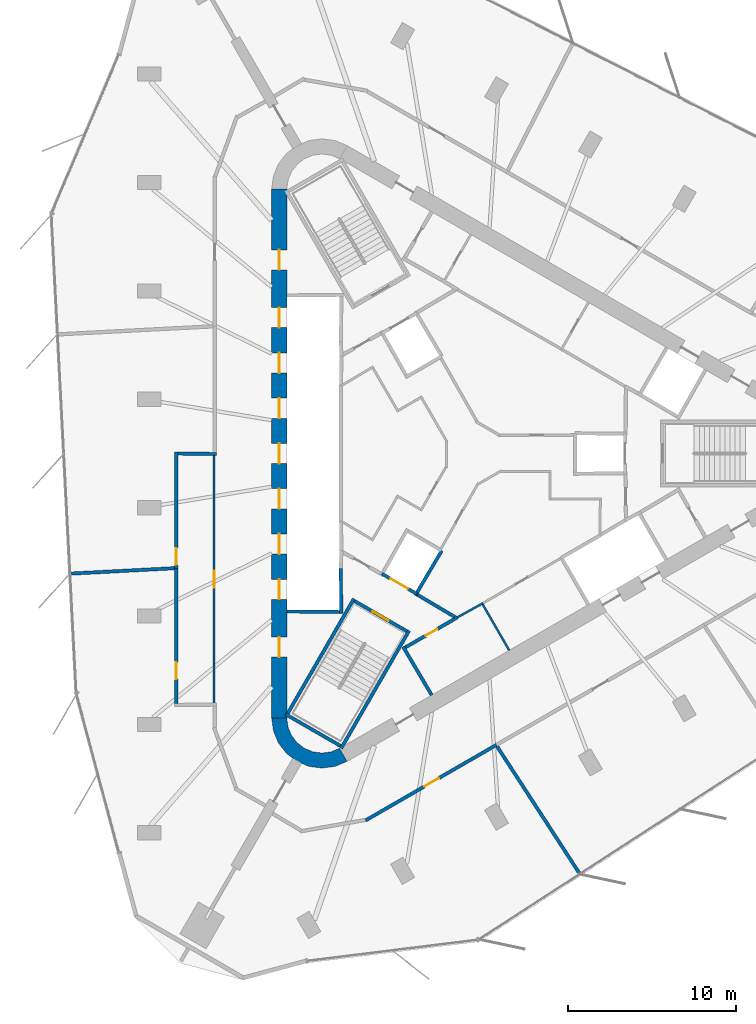
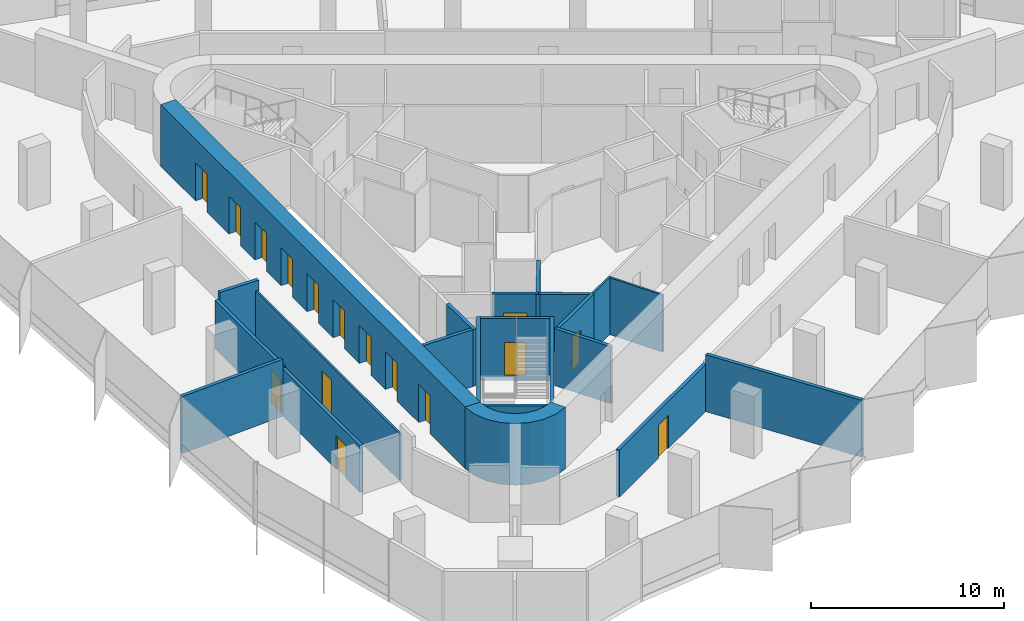
# One storey, part 7 of 12: 22 walls, 16 doors, 16 openings.
"""IFC4 building model written with IfcOpenShell, lengths in metres."""

from ifc_helpers import new_model, si_unit, direction, frame, frame_2d, origin, place, context, subcontext, project, spatial, polyline, rectangle, outline, extrude, material, layer, layer_set, type_object, element, fill, save


model = new_model("IFC4")

# Units and contexts
model_context = context("Model", 3, precision=1e-05, world=origin(), true_north=direction((0.0, 1.0)))
body_context = subcontext(model_context, "Body", "Model", "MODEL_VIEW")
ifc_project = project(units=[si_unit("LENGTHUNIT", "METRE"), si_unit("AREAUNIT", "SQUARE_METRE"), si_unit("VOLUMEUNIT", "CUBIC_METRE"), si_unit("PLANEANGLEUNIT", "RADIAN"), si_unit("MASSUNIT", "GRAM", prefix="KILO")], contexts=[model_context])

# Site, building, storey
site_placement = place(None, origin())
site = spatial("IfcSite", under=ifc_project, at=site_placement, CompositionType="ELEMENT")
building_placement = place(site_placement, origin())
building = spatial("IfcBuilding", under=site, at=building_placement, Name="Tanit Gate Tower", CompositionType="ELEMENT")
storey_placement = place(building_placement, frame((0.0, 0.0, 357.199951171875)))
storey = spatial("IfcBuildingStorey", under=building, at=storey_placement, Name="L81", CompositionType="ELEMENT", Elevation=357.199951171875)

# Wall, openings, doors
ifc_material_1 = material(Name="Concrete C40/50", Category="concrete")
ifc_layer_1 = layer(ifc_material_1, 0.89990234375)
ifc_layer_set_1 = layer_set([ifc_layer_1], Name="CORE WALL 900 C40/50")
wall_type_1 = type_object("IfcWallType", Name="CORE WALL 900 C40/50", PredefinedType="SHEAR", material=ifc_layer_set_1)
wall_1_placement = place(storey_placement, frame((-11.64990234375, 15.76171875, 0.0), z_axis=(0.0, 0.0, 1.0), x_axis=(0.0, -1.0, 0.0)))
wall_1 = element("IfcWall", 1, at=wall_1_placement, inside=storey, type_object=wall_type_1, Name="CORE WALL", PredefinedType="SHEAR", context=body_context, shape_type="SweptSolid", body=[
    extrude(rectangle(XDim=31.5234375, YDim=0.89990234375, at=frame_2d((15.76171875, 0.0))), origin(), (0.0, 0.0, 1.0), 3.900146484375),
])
opening_1_placement = place(wall_1_placement, frame((7.061767578125, 0.0, 0.0)))
opening_1 = element("IfcOpeningElement", 2, at=opening_1_placement, cuts=wall_1, Name="Opening LDHL1-S23", PredefinedType="OPENING", context=body_context, shape_type="SweptSolid", body=[
    extrude(rectangle(XDim=1.199951171875, YDim=2.39990234375, at=frame_2d((0.60009765625, 1.199951171875))), frame((0.0, 0.4599609375, 0.0), z_axis=(0.0, -1.0, 0.0), x_axis=(1.0, 0.0, 0.0)), (0.0, 0.0, 1.0), 0.919921875),
])
opening_2_placement = place(wall_1_placement, frame((9.76171875, 0.0, 0.0)))
opening_2 = element("IfcOpeningElement", 3, at=opening_2_placement, cuts=wall_1, Name="Opening LDHL2-S23", PredefinedType="OPENING", context=body_context, shape_type="SweptSolid", body=[
    extrude(rectangle(XDim=1.199951171875, YDim=2.39990234375, at=frame_2d((0.60009765625, 1.199951171875))), frame((0.0, 0.4599609375, 0.0), z_axis=(0.0, -1.0, 0.0), x_axis=(1.0, 0.0, 0.0)), (0.0, 0.0, 1.0), 0.919921875),
])
opening_3_placement = place(wall_1_placement, frame((12.461669921875, 0.0, 0.0)))
opening_3 = element("IfcOpeningElement", 4, at=opening_3_placement, cuts=wall_1, Name="Opening LDHL3-S23", PredefinedType="OPENING", context=body_context, shape_type="SweptSolid", body=[
    extrude(rectangle(XDim=1.199951171875, YDim=2.39990234375, at=frame_2d((0.60009765625, 1.199951171875))), frame((0.0, 0.4599609375, 0.0), z_axis=(0.0, -1.0, 0.0), x_axis=(1.0, 0.0, 0.0)), (0.0, 0.0, 1.0), 0.919921875),
])
opening_4_placement = place(wall_1_placement, frame((15.16162109375, 0.0, 0.0)))
opening_4 = element("IfcOpeningElement", 5, at=opening_4_placement, cuts=wall_1, Name="Opening LDHL4-S23", PredefinedType="OPENING", context=body_context, shape_type="SweptSolid", body=[
    extrude(rectangle(XDim=1.199951171875, YDim=2.39990234375, at=frame_2d((0.60009765625, 1.199951171875))), frame((0.0, 0.4599609375, 0.0), z_axis=(0.0, -1.0, 0.0), x_axis=(1.0, 0.0, 0.0)), (0.0, 0.0, 1.0), 0.919921875),
])
opening_5_placement = place(wall_1_placement, frame((17.86181640625, 0.0, 0.0)))
opening_5 = element("IfcOpeningElement", 6, at=opening_5_placement, cuts=wall_1, Name="Opening LDHL5-S23", PredefinedType="OPENING", context=body_context, shape_type="SweptSolid", body=[
    extrude(rectangle(XDim=1.199951171875, YDim=2.39990234375, at=frame_2d((0.60009765625, 1.199951171875))), frame((0.0, 0.4599609375, 0.0), z_axis=(0.0, -1.0, 0.0), x_axis=(1.0, 0.0, 0.0)), (0.0, 0.0, 1.0), 0.919921875),
])
opening_6_placement = place(wall_1_placement, frame((20.561767578125, 0.0, 0.0)))
opening_6 = element("IfcOpeningElement", 7, at=opening_6_placement, cuts=wall_1, Name="Opening LDHL6-S23", PredefinedType="OPENING", context=body_context, shape_type="SweptSolid", body=[
    extrude(rectangle(XDim=1.199951171875, YDim=2.39990234375, at=frame_2d((0.60009765625, 1.199951171875))), frame((0.0, 0.4599609375, 0.0), z_axis=(0.0, -1.0, 0.0), x_axis=(1.0, 0.0, 0.0)), (0.0, 0.0, 1.0), 0.919921875),
])
opening_7_placement = place(wall_1_placement, frame((23.26171875, 0.0, 0.0)))
opening_7 = element("IfcOpeningElement", 8, at=opening_7_placement, cuts=wall_1, Name="Opening LDHL7-S23", PredefinedType="OPENING", context=body_context, shape_type="SweptSolid", body=[
    extrude(rectangle(XDim=1.199951171875, YDim=2.39990234375, at=frame_2d((0.60009765625, 1.199951171875))), frame((0.0, 0.4599609375, 0.0), z_axis=(0.0, -1.0, 0.0), x_axis=(1.0, 0.0, 0.0)), (0.0, 0.0, 1.0), 0.919921875),
])
opening_8_placement = place(wall_1_placement, frame((3.61181640625, 0.0, 0.0)))
opening_8 = element("IfcOpeningElement", 9, at=opening_8_placement, cuts=wall_1, Name="Opening F12-S23-FL2", PredefinedType="OPENING", context=body_context, shape_type="SweptSolid", body=[
    extrude(rectangle(XDim=1.199951171875, YDim=2.39990234375, at=frame_2d((0.60009765625, 1.199951171875))), frame((0.0, 0.4599609375, 0.0), z_axis=(0.0, -1.0, 0.0), x_axis=(1.0, 0.0, 0.0)), (0.0, 0.0, 1.0), 0.919921875),
])
opening_9_placement = place(wall_1_placement, frame((26.711669921875, 0.0, 0.0)))
opening_9 = element("IfcOpeningElement", 10, at=opening_9_placement, cuts=wall_1, Name="Opening F12-S23-S3", PredefinedType="OPENING", context=body_context, shape_type="SweptSolid", body=[
    extrude(rectangle(XDim=1.199951171875, YDim=2.39990234375, at=frame_2d((0.60009765625, 1.199951171875))), frame((0.0, 0.4599609375, 0.0), z_axis=(0.0, -1.0, 0.0), x_axis=(1.0, 0.0, 0.0)), (0.0, 0.0, 1.0), 0.919921875),
])
ifc_material_2 = material(Name="Fire-rated steel door leaf", Category="steel")
door_type_1 = type_object("IfcDoorType", Name="INT-DOOR-FIRE-LOBBY-1200", OperationType="NOTDEFINED", PredefinedType="USERDEFINED", material=ifc_material_2)
door_1_placement = place(opening_8_placement, origin())
door_1 = element("IfcDoor", 11, at=door_1_placement, inside=storey, type_object=door_type_1, Name="Door F12-S23-FL2", ObjectType="FIRE DOOR", OperationType="SINGLE_SWING_RIGHT", OverallHeight=2.39990234375, OverallWidth=1.199951171875, PredefinedType="USERDEFINED", context=body_context, shape_type="SweptSolid", body=[
    extrude(rectangle(XDim=1.199951171875, YDim=2.39990234375, at=frame_2d((0.60009765625, 1.199951171875))), frame((0.0, 0.02490234375, 0.0), z_axis=(0.0, -1.0, 0.0), x_axis=(1.0, 0.0, 0.0)), (0.0, 0.0, 1.0), 0.050048828125),
])
fill(opening_8, door_1)
door_2_placement = place(opening_9_placement, origin())
door_2 = element("IfcDoor", 12, at=door_2_placement, inside=storey, type_object=door_type_1, Name="Door F12-S23-S3", ObjectType="FIRE DOOR", OperationType="SINGLE_SWING_LEFT", OverallHeight=2.39990234375, OverallWidth=1.199951171875, PredefinedType="USERDEFINED", context=body_context, shape_type="SweptSolid", body=[
    extrude(rectangle(XDim=1.199951171875, YDim=2.39990234375, at=frame_2d((0.60009765625, 1.199951171875))), frame((0.0, 0.02490234375, 0.0), z_axis=(0.0, -1.0, 0.0), x_axis=(1.0, 0.0, 0.0)), (0.0, 0.0, 1.0), 0.050048828125),
])
fill(opening_9, door_2)
ifc_material_3 = material(Name="Stainless steel sliding door leaf", Category="steel")
door_type_2 = type_object("IfcDoorType", Name="INT-DOOR-LANDING-1200", OperationType="NOTDEFINED", PredefinedType="USERDEFINED", material=ifc_material_3)
door_3_placement = place(opening_1_placement, origin())
door_3 = element("IfcDoor", 13, at=door_3_placement, inside=storey, type_object=door_type_2, Name="Door LDHL1-S23", ObjectType="LANDING DOOR", OperationType="SLIDING_TO_LEFT", OverallHeight=2.39990234375, OverallWidth=1.199951171875, PredefinedType="USERDEFINED", context=body_context, shape_type="SweptSolid", body=[
    extrude(rectangle(XDim=1.199951171875, YDim=2.39990234375, at=frame_2d((0.60009765625, 1.199951171875))), frame((0.0, 0.02490234375, 0.0), z_axis=(0.0, -1.0, 0.0), x_axis=(1.0, 0.0, 0.0)), (0.0, 0.0, 1.0), 0.050048828125),
])
fill(opening_1, door_3)
door_4_placement = place(opening_2_placement, origin())
door_4 = element("IfcDoor", 14, at=door_4_placement, inside=storey, type_object=door_type_2, Name="Door LDHL2-S23", ObjectType="LANDING DOOR", OperationType="SLIDING_TO_LEFT", OverallHeight=2.39990234375, OverallWidth=1.199951171875, PredefinedType="USERDEFINED", context=body_context, shape_type="SweptSolid", body=[
    extrude(rectangle(XDim=1.199951171875, YDim=2.39990234375, at=frame_2d((0.60009765625, 1.199951171875))), frame((0.0, 0.02490234375, 0.0), z_axis=(0.0, -1.0, 0.0), x_axis=(1.0, 0.0, 0.0)), (0.0, 0.0, 1.0), 0.050048828125),
])
fill(opening_2, door_4)
door_5_placement = place(opening_3_placement, origin())
door_5 = element("IfcDoor", 15, at=door_5_placement, inside=storey, type_object=door_type_2, Name="Door LDHL3-S23", ObjectType="LANDING DOOR", OperationType="SLIDING_TO_LEFT", OverallHeight=2.39990234375, OverallWidth=1.199951171875, PredefinedType="USERDEFINED", context=body_context, shape_type="SweptSolid", body=[
    extrude(rectangle(XDim=1.199951171875, YDim=2.39990234375, at=frame_2d((0.60009765625, 1.199951171875))), frame((0.0, 0.02490234375, 0.0), z_axis=(0.0, -1.0, 0.0), x_axis=(1.0, 0.0, 0.0)), (0.0, 0.0, 1.0), 0.050048828125),
])
fill(opening_3, door_5)
door_6_placement = place(opening_4_placement, origin())
door_6 = element("IfcDoor", 16, at=door_6_placement, inside=storey, type_object=door_type_2, Name="Door LDHL4-S23", ObjectType="LANDING DOOR", OperationType="SLIDING_TO_LEFT", OverallHeight=2.39990234375, OverallWidth=1.199951171875, PredefinedType="USERDEFINED", context=body_context, shape_type="SweptSolid", body=[
    extrude(rectangle(XDim=1.199951171875, YDim=2.39990234375, at=frame_2d((0.60009765625, 1.199951171875))), frame((0.0, 0.02490234375, 0.0), z_axis=(0.0, -1.0, 0.0), x_axis=(1.0, 0.0, 0.0)), (0.0, 0.0, 1.0), 0.050048828125),
])
fill(opening_4, door_6)
door_7_placement = place(opening_5_placement, origin())
door_7 = element("IfcDoor", 17, at=door_7_placement, inside=storey, type_object=door_type_2, Name="Door LDHL5-S23", ObjectType="LANDING DOOR", OperationType="SLIDING_TO_LEFT", OverallHeight=2.39990234375, OverallWidth=1.199951171875, PredefinedType="USERDEFINED", context=body_context, shape_type="SweptSolid", body=[
    extrude(rectangle(XDim=1.199951171875, YDim=2.39990234375, at=frame_2d((0.60009765625, 1.199951171875))), frame((0.0, 0.02490234375, 0.0), z_axis=(0.0, -1.0, 0.0), x_axis=(1.0, 0.0, 0.0)), (0.0, 0.0, 1.0), 0.050048828125),
])
fill(opening_5, door_7)
door_8_placement = place(opening_6_placement, origin())
door_8 = element("IfcDoor", 18, at=door_8_placement, inside=storey, type_object=door_type_2, Name="Door LDHL6-S23", ObjectType="LANDING DOOR", OperationType="SLIDING_TO_LEFT", OverallHeight=2.39990234375, OverallWidth=1.199951171875, PredefinedType="USERDEFINED", context=body_context, shape_type="SweptSolid", body=[
    extrude(rectangle(XDim=1.199951171875, YDim=2.39990234375, at=frame_2d((0.60009765625, 1.199951171875))), frame((0.0, 0.02490234375, 0.0), z_axis=(0.0, -1.0, 0.0), x_axis=(1.0, 0.0, 0.0)), (0.0, 0.0, 1.0), 0.050048828125),
])
fill(opening_6, door_8)
door_9_placement = place(opening_7_placement, origin())
door_9 = element("IfcDoor", 19, at=door_9_placement, inside=storey, type_object=door_type_2, Name="Door LDHL7-S23", ObjectType="LANDING DOOR", OperationType="SLIDING_TO_LEFT", OverallHeight=2.39990234375, OverallWidth=1.199951171875, PredefinedType="USERDEFINED", context=body_context, shape_type="SweptSolid", body=[
    extrude(rectangle(XDim=1.199951171875, YDim=2.39990234375, at=frame_2d((0.60009765625, 1.199951171875))), frame((0.0, 0.02490234375, 0.0), z_axis=(0.0, -1.0, 0.0), x_axis=(1.0, 0.0, 0.0)), (0.0, 0.0, 1.0), 0.050048828125),
])
fill(opening_7, door_9)

# Walls
wall_2_placement = place(storey_placement, origin())
element("IfcWall", 20, at=wall_2_placement, inside=storey, type_object=wall_type_1, Name="CORE WALL CORNER", PredefinedType="SHEAR", context=body_context, shape_type="SweptSolid", body=[
    extrude(outline(polyline([(-12.10009765625, -15.76171875), (-11.997802734375, -16.5380859375), (-11.697998046875, -17.26171875), (-11.22119140625, -17.883056640625), (-10.60009765625, -18.359619140625), (-9.87646484375, -18.659423828125), (-9.10009765625, -18.76171875), (-8.323486328125, -18.659423828125), (-7.60009765625, -18.359619140625), (-8.050048828125, -17.580322265625), (-8.556396484375, -17.7900390625), (-9.10009765625, -17.86181640625), (-9.6435546875, -17.7900390625), (-10.14990234375, -17.580322265625), (-10.5849609375, -17.24658203125), (-10.918701171875, -16.811767578125), (-11.12841796875, -16.30517578125), (-11.199951171875, -15.76171875), (-12.10009765625, -15.76171875)])), origin(), (0.0, 0.0, 1.0), 3.900146484375),
])
ifc_material_4 = material(Name="Fire-rated gypsum board partition")
ifc_layer_2 = layer(ifc_material_4, 0.199951171875)
ifc_layer_set_2 = layer_set([ifc_layer_2], Name="INT-WALL-COMPARTMENT")
wall_type_2 = type_object("IfcWallType", Name="INT-WALL-COMPARTMENT", PredefinedType="PARTITIONING", material=ifc_layer_set_2)
wall_3_placement = place(storey_placement, frame((-4.259765625, -11.523681640625, 0.0), z_axis=(0.0, 0.0, 1.0), x_axis=(0.507997497166, -0.861358544901, 0.0)))
element("IfcWall", 21, at=wall_3_placement, inside=storey, type_object=wall_type_2, Name="Wall Compartment W053", PredefinedType="PARTITIONING", context=body_context, shape_type="SweptSolid", body=[
    extrude(rectangle(XDim=3.350341796875, YDim=0.199951171875, at=frame_2d((1.67529296875, 0.0))), origin(), (0.0, 0.0, 1.0), 3.60009765625),
])

# Wall, opening, door
wall_4_placement = place(storey_placement, frame((-1.02392578125, -9.77099609375, 0.0), z_axis=(0.0, 0.0, 1.0), x_axis=(-0.866029903013, -0.499992207027, 0.0)))
wall_4 = element("IfcWall", 22, at=wall_4_placement, inside=storey, type_object=wall_type_2, Name="Wall Compartment W054", PredefinedType="PARTITIONING", context=body_context, shape_type="SweptSolid", body=[
    extrude(rectangle(XDim=3.57763671875, YDim=0.199951171875, at=frame_2d((1.788818359375, 0.0))), origin(), (0.0, 0.0, 1.0), 3.60009765625),
])
opening_10_placement = place(wall_4_placement, frame((1.388916015625, 0.0, 0.0)))
opening_10 = element("IfcOpeningElement", 23, at=opening_10_placement, cuts=wall_4, Name="Opening R08-S23-15", PredefinedType="OPENING", context=body_context, shape_type="SweptSolid", body=[
    extrude(rectangle(XDim=0.800048828125, YDim=2.10009765625, at=frame_2d((0.39990234375, 1.050048828125))), frame((0.0, 0.10986328125, 0.0), z_axis=(0.0, -1.0, 0.0), x_axis=(1.0, 0.0, 0.0)), (0.0, 0.0, 1.0), 0.219970703125),
])
ifc_material_5 = material(Name="Timber door leaf", Category="wood")
door_type_3 = type_object("IfcDoorType", Name="INT-DOOR-RISER-800", OperationType="NOTDEFINED", PredefinedType="USERDEFINED", material=ifc_material_5)
door_10_placement = place(opening_10_placement, origin())
door_10 = element("IfcDoor", 24, at=door_10_placement, inside=storey, type_object=door_type_3, Name="Door R08-S23-15", ObjectType="FIRE DOOR", OperationType="SINGLE_SWING_RIGHT", OverallHeight=2.10009765625, OverallWidth=0.800048828125, PredefinedType="USERDEFINED", context=body_context, shape_type="SweptSolid", body=[
    extrude(rectangle(XDim=0.800048828125, YDim=2.10009765625, at=frame_2d((0.39990234375, 1.050048828125))), frame((0.0, 0.02490234375, 0.0), z_axis=(0.0, -1.0, 0.0), x_axis=(1.0, 0.0, 0.0)), (0.0, 0.0, 1.0), 0.050048828125),
])
fill(opening_10, door_10)

# Wall
wall_5_placement = place(storey_placement, frame((-3.400634765625, -8.43017578125, 0.0), z_axis=(0.0, 0.0, 1.0), x_axis=(0.860630814782, -0.509229418482, 0.0)))
element("IfcWall", 25, at=wall_5_placement, inside=storey, type_object=wall_type_2, Name="Wall Compartment W063", PredefinedType="PARTITIONING", context=body_context, shape_type="SweptSolid", body=[
    extrude(rectangle(XDim=2.581787109375, YDim=0.199951171875, at=frame_2d((1.291015625, 0.0))), origin(), (0.0, 0.0, 1.0), 3.60009765625),
])

# Wall, opening, door
wall_6_placement = place(storey_placement, frame((-17.800048828125, 0.10009765625, 0.0), z_axis=(0.0, 0.0, 1.0), x_axis=(0.0, -1.0, 0.0)))
wall_6 = element("IfcWall", 26, at=wall_6_placement, inside=storey, type_object=wall_type_2, Name="Wall Compartment W086", PredefinedType="PARTITIONING", context=body_context, shape_type="SweptSolid", body=[
    extrude(rectangle(XDim=6.9541015625, YDim=0.199951171875, at=frame_2d((3.47705078125, 0.0))), origin(), (0.0, 0.0, 1.0), 3.070068359375),
])
opening_11_placement = place(wall_6_placement, frame((5.736572265625, 0.0, 0.0)))
opening_11 = element("IfcOpeningElement", 27, at=opening_11_placement, cuts=wall_6, Name="Opening F10-S23-24", PredefinedType="OPENING", context=body_context, shape_type="SweptSolid", body=[
    extrude(rectangle(XDim=1.0, YDim=2.10009765625, at=frame_2d((0.5, 1.050048828125))), frame((0.0, 0.10986328125, 0.0), z_axis=(0.0, -1.0, 0.0), x_axis=(1.0, 0.0, 0.0)), (0.0, 0.0, 1.0), 0.219970703125),
])
ifc_material_6 = material(Name="Fire-rated steel door leaf", Category="steel")
door_type_4 = type_object("IfcDoorType", Name="INT-DOOR-FIRE-1000", OperationType="NOTDEFINED", PredefinedType="USERDEFINED", material=ifc_material_6)
door_11_placement = place(opening_11_placement, origin())
door_11 = element("IfcDoor", 28, at=door_11_placement, inside=storey, type_object=door_type_4, Name="Door F10-S23-24", ObjectType="FIRE DOOR", OperationType="SINGLE_SWING_RIGHT", OverallHeight=2.10009765625, OverallWidth=1.0, PredefinedType="USERDEFINED", context=body_context, shape_type="SweptSolid", body=[
    extrude(rectangle(XDim=1.0, YDim=2.10009765625, at=frame_2d((0.5, 1.050048828125))), frame((0.0, 0.02490234375, 0.0), z_axis=(0.0, -1.0, 0.0), x_axis=(1.0, 0.0, 0.0)), (0.0, 0.0, 1.0), 0.050048828125),
])
fill(opening_11, door_11)

wall_7_placement = place(storey_placement, frame((-17.800048828125, -6.85400390625, 0.0), z_axis=(0.0, 0.0, 1.0), x_axis=(0.0, -1.0, 0.0)))
wall_7 = element("IfcWall", 29, at=wall_7_placement, inside=storey, type_object=wall_type_2, Name="Wall Compartment W085", PredefinedType="PARTITIONING", context=body_context, shape_type="SweptSolid", body=[
    extrude(rectangle(XDim=8.0458984375, YDim=0.199951171875, at=frame_2d((4.02294921875, 0.0))), origin(), (0.0, 0.0, 1.0), 2.969970703125),
])
opening_12_placement = place(wall_7_placement, frame((5.60009765625, 0.0, 0.0)))
opening_12 = element("IfcOpeningElement", 30, at=opening_12_placement, cuts=wall_7, Name="Opening F10-S23-23", PredefinedType="OPENING", context=body_context, shape_type="SweptSolid", body=[
    extrude(rectangle(XDim=1.0, YDim=2.10009765625, at=frame_2d((0.5, 1.050048828125))), frame((0.0, 0.10986328125, 0.0), z_axis=(0.0, -1.0, 0.0), x_axis=(1.0, 0.0, 0.0)), (0.0, 0.0, 1.0), 0.219970703125),
])
door_12_placement = place(opening_12_placement, origin())
door_12 = element("IfcDoor", 31, at=door_12_placement, inside=storey, type_object=door_type_4, Name="Door F10-S23-23", ObjectType="FIRE DOOR", OperationType="SINGLE_SWING_RIGHT", OverallHeight=2.10009765625, OverallWidth=1.0, PredefinedType="USERDEFINED", context=body_context, shape_type="SweptSolid", body=[
    extrude(rectangle(XDim=1.0, YDim=2.10009765625, at=frame_2d((0.5, 1.050048828125))), frame((0.0, 0.02490234375, 0.0), z_axis=(0.0, -1.0, 0.0), x_axis=(1.0, 0.0, 0.0)), (0.0, 0.0, 1.0), 0.050048828125),
])
fill(opening_12, door_12)

# Wall
wall_8_placement = place(storey_placement, frame((-15.39990234375, -0.03125, 0.0), z_axis=(0.0, 0.0, 1.0), x_axis=(-0.999914782125, 0.013054826261, 0.0)))
element("IfcWall", 32, at=wall_8_placement, inside=storey, type_object=wall_type_2, Name="Wall Compartment W087", PredefinedType="PARTITIONING", context=body_context, shape_type="SweptSolid", body=[
    extrude(rectangle(XDim=2.30029296875, YDim=0.199951171875, at=frame_2d((1.150146484375, 0.0))), origin(), (0.0, 0.0, 1.0), 3.60009765625),
])

# Wall, opening, door
wall_9_placement = place(storey_placement, frame((-6.505126953125, -21.884521484375, 0.0), z_axis=(0.0, 0.0, 1.0), x_axis=(0.866023249944, 0.500003730543, 0.0)))
wall_9 = element("IfcWall", 33, at=wall_9_placement, inside=storey, type_object=wall_type_2, Name="Wall Compartment W107", PredefinedType="PARTITIONING", context=body_context, shape_type="SweptSolid", body=[
    extrude(rectangle(XDim=9.01611328125, YDim=0.199951171875, at=frame_2d((4.508056640625, 0.0))), origin(), (0.0, 0.0, 1.0), 2.969970703125),
])
opening_13_placement = place(wall_9_placement, frame((4.04931640625, 0.0, 0.0)))
opening_13 = element("IfcOpeningElement", 34, at=opening_13_placement, cuts=wall_9, Name="Opening F10-S23-30", PredefinedType="OPENING", context=body_context, shape_type="SweptSolid", body=[
    extrude(rectangle(XDim=1.0, YDim=2.10009765625, at=frame_2d((0.5, 1.050048828125))), frame((0.0, 0.10986328125, 0.0), z_axis=(0.0, -1.0, 0.0), x_axis=(1.0, 0.0, 0.0)), (0.0, 0.0, 1.0), 0.219970703125),
])
door_13_placement = place(opening_13_placement, origin())
door_13 = element("IfcDoor", 35, at=door_13_placement, inside=storey, type_object=door_type_4, Name="Door F10-S23-30", ObjectType="FIRE DOOR", OperationType="SINGLE_SWING_RIGHT", OverallHeight=2.10009765625, OverallWidth=1.0, PredefinedType="USERDEFINED", context=body_context, shape_type="SweptSolid", body=[
    extrude(rectangle(XDim=1.0, YDim=2.10009765625, at=frame_2d((0.5, 1.050048828125))), frame((0.0, 0.02490234375, 0.0), z_axis=(0.0, -1.0, 0.0), x_axis=(1.0, 0.0, 0.0)), (0.0, 0.0, 1.0), 0.050048828125),
])
fill(opening_13, door_13)

# Walls
wall_10_placement = place(storey_placement, frame((-17.89990234375, -6.841796875, 0.0), z_axis=(0.0, 0.0, 1.0), x_axis=(-0.99865572064, -0.051833884993, 0.0)))
element("IfcWall", 36, at=wall_10_placement, inside=storey, type_object=wall_type_2, Name="Wall Compartment W110", PredefinedType="PARTITIONING", context=body_context, shape_type="SweptSolid", body=[
    extrude(rectangle(XDim=6.221923828125, YDim=0.199951171875, at=frame_2d((3.11083984375, 0.0))), origin(), (0.0, 0.0, 1.0), 3.60009765625),
])
wall_11_placement = place(storey_placement, frame((6.27685546875, -25.07568359375, 0.0), z_axis=(0.0, 0.0, 1.0), x_axis=(-0.5442423271, 0.838928059724, 0.0)))
element("IfcWall", 37, at=wall_11_placement, inside=storey, type_object=wall_type_2, Name="Wall Compartment W127", PredefinedType="PARTITIONING", context=body_context, shape_type="SweptSolid", body=[
    extrude(rectangle(XDim=9.06689453125, YDim=0.199951171875, at=frame_2d((4.533447265625, 0.0))), origin(), (0.0, 0.0, 1.0), 3.60009765625),
])
ifc_material_7 = material(Name="Gypsum board partition")
ifc_layer_3 = layer(ifc_material_7, 0.1201171875)
ifc_layer_set_3 = layer_set([ifc_layer_3], Name="INT-WALL-PARTITION")
wall_type_3 = type_object("IfcWallType", Name="INT-WALL-PARTITION", PredefinedType="PARTITIONING", material=ifc_layer_set_3)
wall_12_placement = place(storey_placement, frame((2.066650390625, -11.739501953125, 0.0), z_axis=(0.0, 0.0, 1.0), x_axis=(-0.499984717929, 0.866034226713, 0.0)))
element("IfcWall", 38, at=wall_12_placement, inside=storey, type_object=wall_type_3, Name="Wall Partition W052", PredefinedType="PARTITIONING", context=body_context, shape_type="SweptSolid", body=[
    extrude(rectangle(XDim=3.25, YDim=0.1201171875, at=frame_2d((1.625, 0.0))), origin(), (0.0, 0.0, 1.0), 3.60009765625),
])
wall_13_placement = place(storey_placement, frame((-1.0234375, -9.77197265625, 0.0), z_axis=(0.0, 0.0, 1.0), x_axis=(0.874290944206, 0.485402250592, 0.0)))
element("IfcWall", 39, at=wall_13_placement, inside=storey, type_object=wall_type_3, Name="Wall Partition W055", PredefinedType="PARTITIONING", context=body_context, shape_type="SweptSolid", body=[
    extrude(rectangle(XDim=1.72265625, YDim=0.1201171875, at=frame_2d((0.861328125, 0.0))), origin(), (0.0, 0.0, 1.0), 3.60009765625),
])

# Wall, opening, door
wall_14_placement = place(storey_placement, frame((-15.530029296875, 0.0, 0.0), z_axis=(0.0, 0.0, 1.0), x_axis=(0.0, -1.0, 0.0)))
wall_14 = element("IfcWall", 40, at=wall_14_placement, inside=storey, type_object=wall_type_3, Name="Wall Partition W083", PredefinedType="PARTITIONING", context=body_context, shape_type="SweptSolid", body=[
    extrude(rectangle(XDim=15.0, YDim=0.1201171875, at=frame_2d((7.5, 0.0))), origin(), (0.0, 0.0, 1.0), 2.969970703125),
])
opening_14_placement = place(wall_14_placement, frame((7.0, 0.0, 0.0)))
opening_14 = element("IfcOpeningElement", 41, at=opening_14_placement, cuts=wall_14, Name="Opening D10-S23-18", PredefinedType="OPENING", context=body_context, shape_type="SweptSolid", body=[
    extrude(rectangle(XDim=1.0, YDim=2.10009765625, at=frame_2d((0.5, 1.050048828125))), frame((0.0, 0.070068359375, 0.0), z_axis=(0.0, -1.0, 0.0), x_axis=(1.0, 0.0, 0.0)), (0.0, 0.0, 1.0), 0.14013671875),
])
ifc_material_8 = material(Name="Timber door leaf", Category="wood")
door_type_5 = type_object("IfcDoorType", Name="INT-DOOR-SINGLE-1000", OperationType="NOTDEFINED", PredefinedType="NOTDEFINED", material=ifc_material_8)
door_14_placement = place(opening_14_placement, origin())
door_14 = element("IfcDoor", 42, at=door_14_placement, inside=storey, type_object=door_type_5, Name="Door D10-S23-18", OperationType="SINGLE_SWING_RIGHT", OverallHeight=2.10009765625, OverallWidth=1.0, PredefinedType="NOTDEFINED", context=body_context, shape_type="SweptSolid", body=[
    extrude(rectangle(XDim=1.0, YDim=2.10009765625, at=frame_2d((0.5, 1.050048828125))), frame((0.0, 0.02490234375, 0.0), z_axis=(0.0, -1.0, 0.0), x_axis=(1.0, 0.0, 0.0)), (0.0, 0.0, 1.0), 0.050048828125),
])
fill(opening_14, door_14)

# Walls
ifc_material_9 = material(Name="Gypsum shaft wall system")
ifc_layer_4 = layer(ifc_material_9, 0.199951171875)
ifc_layer_set_4 = layer_set([ifc_layer_4], Name="INT-WALL-SHAFT")
wall_type_4 = type_object("IfcWallType", Name="INT-WALL-SHAFT", PredefinedType="PLUMBINGWALL", material=ifc_layer_set_4)
wall_15_placement = place(storey_placement, frame((-7.97900390625, -6.85009765625, 0.0), z_axis=(0.0, 0.0, 1.0), x_axis=(0.011121475088, -0.999938154483, 0.0)))
element("IfcWall", 43, at=wall_15_placement, inside=storey, type_object=wall_type_4, Name="Wall Shaft W010", PredefinedType="PLUMBINGWALL", context=body_context, shape_type="SweptSolid", body=[
    extrude(rectangle(XDim=2.7001953125, YDim=0.199951171875, at=frame_2d((1.35009765625, 0.0))), origin(), (0.0, 0.0, 1.0), 3.60009765625),
])
wall_16_placement = place(storey_placement, frame((-8.050048828125, -9.448974609375, 0.0), z_axis=(0.0, 0.0, 1.0), x_axis=(-0.999957467379, 0.009222983926, 0.0)))
element("IfcWall", 44, at=wall_16_placement, inside=storey, type_object=wall_type_4, Name="Wall Shaft W011", PredefinedType="PLUMBINGWALL", context=body_context, shape_type="SweptSolid", body=[
    extrude(rectangle(XDim=3.150146484375, YDim=0.199951171875, at=frame_2d((1.5751953125, 0.0))), origin(), (0.0, 0.0, 1.0), 3.60009765625),
])

# Wall, opening, door
wall_17_placement = place(storey_placement, frame((-3.44580078125, -8.3681640625, 0.0), z_axis=(0.0, 0.0, 1.0), x_axis=(-0.866024647952, 0.500001309137, 0.0)))
wall_17 = element("IfcWall", 45, at=wall_17_placement, inside=storey, type_object=wall_type_4, Name="Wall Shaft W040", PredefinedType="PLUMBINGWALL", context=body_context, shape_type="SweptSolid", body=[
    extrude(rectangle(XDim=2.39990234375, YDim=0.199951171875, at=frame_2d((1.199951171875, 0.0))), origin(), (0.0, 0.0, 1.0), 3.60009765625),
])
opening_15_placement = place(wall_17_placement, frame((0.60009765625, 0.0, 0.0)))
opening_15 = element("IfcOpeningElement", 46, at=opening_15_placement, cuts=wall_17, Name="Opening LDFL3-L81", PredefinedType="OPENING", context=body_context, shape_type="SweptSolid", body=[
    extrude(rectangle(XDim=1.199951171875, YDim=2.39990234375, at=frame_2d((0.60009765625, 1.199951171875))), frame((0.0, 0.10986328125, 0.0), z_axis=(0.0, -1.0, 0.0), x_axis=(1.0, 0.0, 0.0)), (0.0, 0.0, 1.0), 0.219970703125),
])
door_15_placement = place(opening_15_placement, origin())
door_15 = element("IfcDoor", 47, at=door_15_placement, inside=storey, type_object=door_type_2, Name="Door LDFL3-L81", ObjectType="LANDING DOOR", OperationType="SLIDING_TO_LEFT", OverallHeight=2.39990234375, OverallWidth=1.199951171875, PredefinedType="USERDEFINED", context=body_context, shape_type="SweptSolid", body=[
    extrude(rectangle(XDim=1.199951171875, YDim=2.39990234375, at=frame_2d((0.60009765625, 1.199951171875))), frame((0.0, 0.02490234375, 0.0), z_axis=(0.0, -1.0, 0.0), x_axis=(1.0, 0.0, 0.0)), (0.0, 0.0, 1.0), 0.050048828125),
])
fill(opening_15, door_15)

# Walls
wall_18_placement = place(storey_placement, frame((-1.960693359375, -5.796142578125, 0.0), z_axis=(0.0, 0.0, 1.0), x_axis=(-0.508647062354, -0.860975125052, 0.0)))
element("IfcWall", 48, at=wall_18_placement, inside=storey, type_object=wall_type_4, Name="Wall Shaft W041", PredefinedType="PLUMBINGWALL", context=body_context, shape_type="SweptSolid", body=[
    extrude(rectangle(XDim=3.10009765625, YDim=0.199951171875, at=frame_2d((1.550048828125, 0.0))), origin(), (0.0, 0.0, 1.0), 3.60009765625),
])
ifc_material_10 = material(Name="Concrete C40/50", Category="concrete")
ifc_layer_5 = layer(ifc_material_10, 0.199951171875)
ifc_layer_set_5 = layer_set([ifc_layer_5], Name="INT-WALL-STAIR")
wall_type_5 = type_object("IfcWallType", Name="INT-WALL-STAIR", PredefinedType="SHEAR", material=ifc_layer_set_5)
wall_19_placement = place(storey_placement, frame((-3.904541015625, -10.56298828125, -0.300048828125), z_axis=(0.0, 0.0, 1.0), x_axis=(-0.500012932018, -0.866017937352, 0.0)))
element("IfcWall", 49, at=wall_19_placement, inside=storey, type_object=wall_type_5, Name="Wall Stair W036", PredefinedType="SHEAR", context=body_context, shape_type="SweptSolid", body=[
    extrude(rectangle(XDim=8.099853515625, YDim=0.199951171875, at=frame_2d((4.0498046875, 0.0))), origin(), (0.0, 0.0, 1.0), 3.900146484375),
])
wall_20_placement = place(storey_placement, frame((-11.281982421875, -15.541015625, -0.300048828125), z_axis=(0.0, 0.0, 1.0), x_axis=(0.866000483506, -0.500043160704, 0.0)))
element("IfcWall", 50, at=wall_20_placement, inside=storey, type_object=wall_type_5, Name="Wall Stair W037", PredefinedType="SHEAR", context=body_context, shape_type="SweptSolid", body=[
    extrude(rectangle(XDim=3.800048828125, YDim=0.199951171875, at=frame_2d((1.89990234375, 0.0))), origin(), (0.0, 0.0, 1.0), 3.900146484375),
])
wall_21_placement = place(storey_placement, frame((-7.195556640625, -8.662841796875, -0.300048828125), z_axis=(0.0, 0.0, 1.0), x_axis=(-0.499997992926, -0.866026562566, 0.0)))
element("IfcWall", 51, at=wall_21_placement, inside=storey, type_object=wall_type_5, Name="Wall Stair W038", PredefinedType="SHEAR", context=body_context, shape_type="SweptSolid", body=[
    extrude(rectangle(XDim=7.89990234375, YDim=0.199951171875, at=frame_2d((3.949951171875, 0.0))), origin(), (0.0, 0.0, 1.0), 3.900146484375),
])

# Wall, opening, door
wall_22_placement = place(storey_placement, frame((-4.041259765625, -10.599365234375, -0.300048828125), z_axis=(0.0, 0.0, 1.0), x_axis=(-0.866047807691, 0.499961193289, 0.0)))
wall_22 = element("IfcWall", 52, at=wall_22_placement, inside=storey, type_object=wall_type_5, Name="Wall Stair W039", PredefinedType="SHEAR", context=body_context, shape_type="SweptSolid", body=[
    extrude(rectangle(XDim=3.599853515625, YDim=0.199951171875, at=frame_2d((1.7998046875, 0.0))), origin(), (0.0, 0.0, 1.0), 3.900146484375),
])
opening_16_placement = place(wall_22_placement, frame((1.25, 0.0, 0.300048828125)))
opening_16 = element("IfcOpeningElement", 53, at=opening_16_placement, cuts=wall_22, Name="Opening S11-S23-07", PredefinedType="OPENING", context=body_context, shape_type="SweptSolid", body=[
    extrude(rectangle(XDim=1.10009765625, YDim=2.10009765625, at=frame_2d((0.550048828125, 1.050048828125))), frame((0.0, 0.10986328125, 0.0), z_axis=(0.0, -1.0, 0.0), x_axis=(1.0, 0.0, 0.0)), (0.0, 0.0, 1.0), 0.219970703125),
])
ifc_material_11 = material(Name="Timber door leaf", Category="wood")
door_type_6 = type_object("IfcDoorType", Name="INT-DOOR-STAIR-1100", OperationType="NOTDEFINED", PredefinedType="USERDEFINED", material=ifc_material_11)
door_16_placement = place(opening_16_placement, origin())
door_16 = element("IfcDoor", 54, at=door_16_placement, inside=storey, type_object=door_type_6, Name="Door S11-S23-07", ObjectType="FIRE DOOR", OperationType="SINGLE_SWING_RIGHT", OverallHeight=2.10009765625, OverallWidth=1.10009765625, PredefinedType="USERDEFINED", context=body_context, shape_type="SweptSolid", body=[
    extrude(rectangle(XDim=1.10009765625, YDim=2.10009765625, at=frame_2d((0.550048828125, 1.050048828125))), frame((0.0, 0.02490234375, 0.0), z_axis=(0.0, -1.0, 0.0), x_axis=(1.0, 0.0, 0.0)), (0.0, 0.0, 1.0), 0.050048828125),
])
fill(opening_16, door_16)

save(model, "model.ifc")
